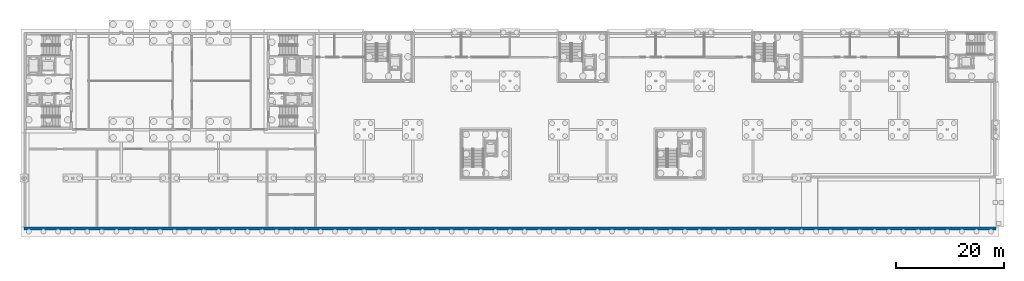
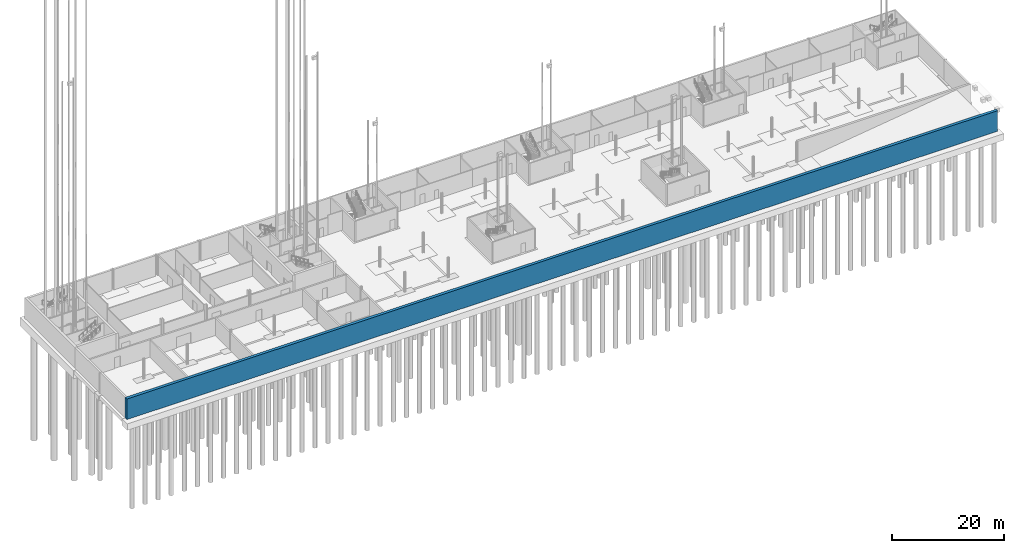
# One storey, part 15 of 41: 1 wall.
"""IFC4 building model written with IfcOpenShell, lengths in metres."""

from ifc_helpers import new_model, si_unit, direction, frame, frame_2d, origin, place, context, subcontext, project, spatial, rectangle, extrude, material, layer, layer_set, type_object, element, save


model = new_model("IFC4")

# Units and contexts
model_context = context("Model", 3, precision=1e-05, world=origin(), true_north=direction((0.0, 1.0)))
body_context = subcontext(model_context, "Body", "Model", "MODEL_VIEW")
ifc_project = project(units=[si_unit("LENGTHUNIT", "METRE"), si_unit("AREAUNIT", "SQUARE_METRE"), si_unit("VOLUMEUNIT", "CUBIC_METRE"), si_unit("PLANEANGLEUNIT", "RADIAN"), si_unit("MASSUNIT", "GRAM", prefix="KILO")], contexts=[model_context])

# Site, building, storey
site_placement = place(None, origin())
site = spatial("IfcSite", under=ifc_project, at=site_placement, CompositionType="ELEMENT")
building_placement = place(site_placement, origin())
building = spatial("IfcBuilding", under=site, at=building_placement, Name="Corbel Yard City Hall", CompositionType="ELEMENT")
storey_placement = place(building_placement, frame((0.0, 0.0, -4.5)))
storey = spatial("IfcBuildingStorey", under=building, at=storey_placement, Name="B1", CompositionType="ELEMENT", Elevation=-4.5)

# Wall
ifc_material = material(Name="Concrete N50 (50 MPa)", Category="concrete")
ifc_layer = layer(ifc_material, 0.60009765625)
ifc_layer_set = layer_set([ifc_layer], Name="Concrete N50 (50 MPa)")
wall_type = type_object("IfcWallType", Name="Bearing wall 600", PredefinedType="SHEAR", material=ifc_layer_set)
wall_placement = place(storey_placement, frame((0.0, 80.699951171875, 0.0), z_axis=(0.0, 0.0, 1.0), x_axis=(1.0, 0.0, 0.0)))
element("IfcWall", 1, at=wall_placement, inside=storey, type_object=wall_type, Name="Bearing wall B1", PredefinedType="SHEAR", context=body_context, shape_type="SweptSolid", body=[
    extrude(rectangle(XDim=180.0, YDim=0.60009765625, at=frame_2d((90.0, 0.0))), origin(), (0.0, 0.0, 1.0), 4.5),
])

save(model, "model.ifc")
